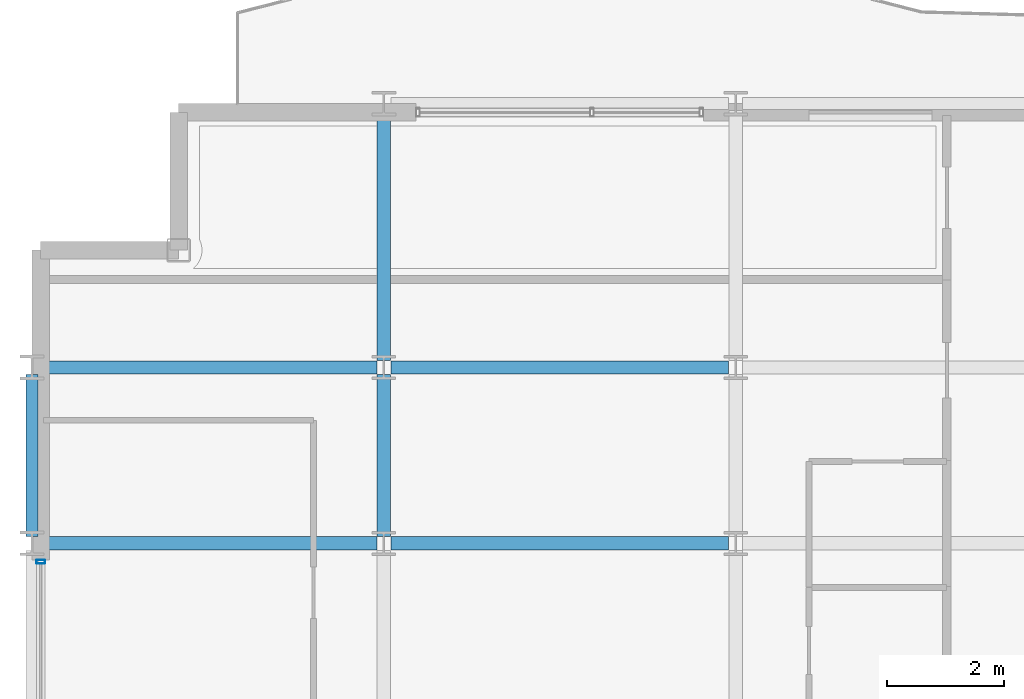
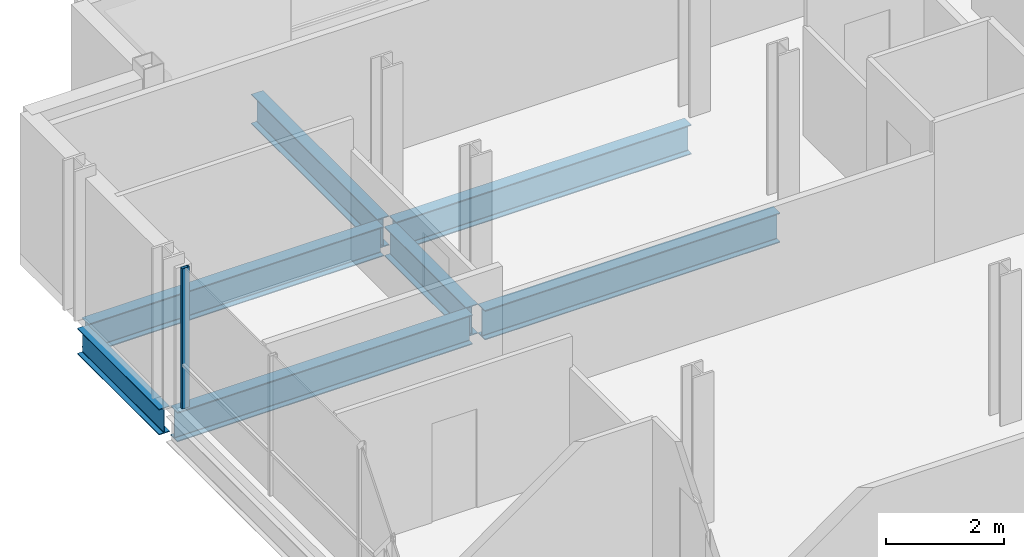
# One storey, part 9 of 41: 7 beams, 1 member, 1 element without a shape of its own.
"""IFC4 building model written with IfcOpenShell, lengths in metres."""

from ifc_helpers import new_model, si_unit, direction, frame, origin, origin_2d, place, context, subcontext, project, spatial, hollow_rectangle, i_section, extrude, material, layer, layer_set, material_profile, profile_set, type_object, element, aggregate, save


model = new_model("IFC4")

# Units and contexts
model_context = context("Model", 3, precision=1e-05, world=origin(), true_north=direction((0.0, 1.0)))
body_context = subcontext(model_context, "Body", "Model", "MODEL_VIEW")
ifc_project = project(units=[si_unit("LENGTHUNIT", "METRE"), si_unit("AREAUNIT", "SQUARE_METRE"), si_unit("VOLUMEUNIT", "CUBIC_METRE"), si_unit("PLANEANGLEUNIT", "RADIAN"), si_unit("MASSUNIT", "GRAM", prefix="KILO")], contexts=[model_context])

# Site, building, storey
site_placement = place(None, origin())
site = spatial("IfcSite", under=ifc_project, at=site_placement, CompositionType="ELEMENT")
building_placement = place(site_placement, origin())
building = spatial("IfcBuilding", under=site, at=building_placement, Name="Brevholm Reach", CompositionType="ELEMENT")
storey_placement = place(building_placement, frame((0.0, 0.0, 169.699951171875)))
storey = spatial("IfcBuildingStorey", under=building, at=storey_placement, Name="L51", CompositionType="ELEMENT", Elevation=169.699951171875)

# Beams
ifc_material_1 = material(Name="Structural Steel S355J2", Category="steel")
ifc_material_profile_1 = material_profile(ifc_material_1, i_section(OverallWidth=0.209228515625, OverallDepth=0.533203125, WebThickness=0.010009765625, FlangeThickness=0.015625, FilletRadius=0.0126953125, at=origin_2d()), Name="UKB 533x210x92")
ifc_profile_set_1 = profile_set([ifc_material_profile_1], Name="Structural Steel S355J2")
beam_type_1 = type_object("IfcBeamType", Name="BM-SP533", PredefinedType="SPANDREL", material=ifc_profile_set_1)
beam_1_placement = place(storey_placement, frame((0.0, 23.6201171875, -0.486572265625), z_axis=(0.0, 1.0, 0.0), x_axis=(-1.0, 0.0, 0.0)))
element("IfcBeam", 1, at=beam_1_placement, inside=storey, type_object=beam_type_1, Name="L51 SP-02 Framing Beam", PredefinedType="SPANDREL", context=body_context, shape_type="SweptSolid", body=[
    extrude(i_section(OverallWidth=0.209228515625, OverallDepth=0.533203125, WebThickness=0.010009765625, FlangeThickness=0.015625, FilletRadius=0.0126953125, at=origin_2d()), origin(), (0.0, 0.0, 1.0), 2.759765625),
])
ifc_material_2 = material(Name="Structural Steel S355J2", Category="steel")
ifc_material_profile_2 = material_profile(ifc_material_2, i_section(OverallWidth=0.22900390625, OverallDepth=0.6123046875, WebThickness=0.011962890625, FlangeThickness=0.01953125, FilletRadius=0.0126953125, at=origin_2d()), Name="UKB 610x229x125")
ifc_profile_set_2 = profile_set([ifc_material_profile_2], Name="Structural Steel S355J2")
beam_type_2 = type_object("IfcBeamType", Name="BM-SP610", PredefinedType="SPANDREL", material=ifc_profile_set_2)
for number, where, z_axis, x_axis, name in (
    (2, (0.1201171875, 23.5, -0.526123046875), (1.0, 0.0, 0.0), (0.0, 1.0, 0.0), "L51 SP-01 Framing Beam"),
    (3, (6.1201171875, 23.5, -0.526123046875), (1.0, 0.0, 0.0), (0.0, 1.0, 0.0), "L51 SP-01 Framing Beam"),
    (4, (0.1201171875, 26.5, -0.526123046875), (1.0, 0.0, 0.0), (0.0, 1.0, 0.0), "L51 SP-01 Framing Beam"),
    (5, (6.1201171875, 26.5, -0.526123046875), (1.0, 0.0, 0.0), (0.0, 1.0, 0.0), "L51 SP-01 Framing Beam"),
):
    element("IfcBeam", number, at=place(storey_placement, frame(where, z_axis=z_axis, x_axis=x_axis)), inside=storey, type_object=beam_type_2, Name=name, PredefinedType="SPANDREL", context=body_context, shape_type="SweptSolid", body=[
        extrude(i_section(OverallWidth=0.22900390625, OverallDepth=0.6123046875, WebThickness=0.011962890625, FlangeThickness=0.01953125, FilletRadius=0.0126953125, at=origin_2d()), origin(), (0.0, 0.0, 1.0), 5.759765625),
    ])
beam_2_placement = place(storey_placement, frame((6.0, 23.6201171875, -0.526123046875), z_axis=(0.0, 1.0, 0.0), x_axis=(-1.0, 0.0, 0.0)))
element("IfcBeam", 6, at=beam_2_placement, inside=storey, type_object=beam_type_2, Name="L51 SP-01 Framing Beam", PredefinedType="SPANDREL", context=body_context, shape_type="SweptSolid", body=[
    extrude(i_section(OverallWidth=0.22900390625, OverallDepth=0.6123046875, WebThickness=0.011962890625, FlangeThickness=0.01953125, FilletRadius=0.0126953125, at=origin_2d()), origin(), (0.0, 0.0, 1.0), 2.759765625),
])
beam_3_placement = place(storey_placement, frame((6.0, 26.6201171875, -0.526123046875), z_axis=(0.0, 1.0, 0.0), x_axis=(-1.0, 0.0, 0.0)))
element("IfcBeam", 7, at=beam_3_placement, inside=storey, type_object=beam_type_2, Name="L51 SP-01 Framing Beam", PredefinedType="SPANDREL", context=body_context, shape_type="SweptSolid", body=[
    extrude(i_section(OverallWidth=0.22900390625, OverallDepth=0.6123046875, WebThickness=0.011962890625, FlangeThickness=0.01953125, FilletRadius=0.0126953125, at=origin_2d()), origin(), (0.0, 0.0, 1.0), 4.259765625),
])

# Curtain wall, member
ifc_material_3 = material(Name="Dark Anodised Aluminium 6063-T6 and Solar-Control Glass", Category="aluminium")
ifc_layer = layer(ifc_material_3, 0.14990234375)
ifc_layer_set = layer_set([ifc_layer], Name="Dark Anodised Aluminium 6063-T6 and Solar-Control Glass")
curtain_wall_type = type_object("IfcCurtainWallType", Name="CW-01", PredefinedType="NOTDEFINED", material=ifc_layer_set)
curtain_wall_placement = place(storey_placement, origin())
curtain_wall = element("IfcCurtainWall", 8, at=curtain_wall_placement, inside=storey, type_object=curtain_wall_type, Name="L51 Curtain Wall CW-01", PredefinedType="NOTDEFINED")
ifc_material_4 = material(Name="Dark Anodised Aluminium 6063-T6", Category="aluminium")
ifc_material_profile_3 = material_profile(ifc_material_4, hollow_rectangle(XDim=0.06494140625, YDim=0.14990234375, WallThickness=0.0048828125, InnerFilletRadius=0.0048828125, OuterFilletRadius=0.010009765625, at=origin_2d()), Name="RHS 150x65x5")
ifc_profile_set_3 = profile_set([ifc_material_profile_3], Name="Dark Anodised Aluminium 6063-T6")
member_type = type_object("IfcMemberType", Name="CWM-150", PredefinedType="MULLION", material=ifc_profile_set_3)
member_placement = place(storey_placement, frame((0.14990234375, 23.1875, 0.0), z_axis=(0.0, 0.0, 1.0), x_axis=(0.0, -1.0, 0.0)))
member = element("IfcMember", 9, at=member_placement, type_object=member_type, Name="CM-150 Mullion 1", PredefinedType="MULLION", context=body_context, shape_type="SweptSolid", body=[
    extrude(hollow_rectangle(XDim=0.06494140625, YDim=0.14990234375, WallThickness=0.0048828125, InnerFilletRadius=0.0048828125, OuterFilletRadius=0.010009765625, at=origin_2d()), origin(), (0.0, 0.0, 1.0), 2.89013671875),
])
aggregate(curtain_wall, [member])

save(model, "model.ifc")
